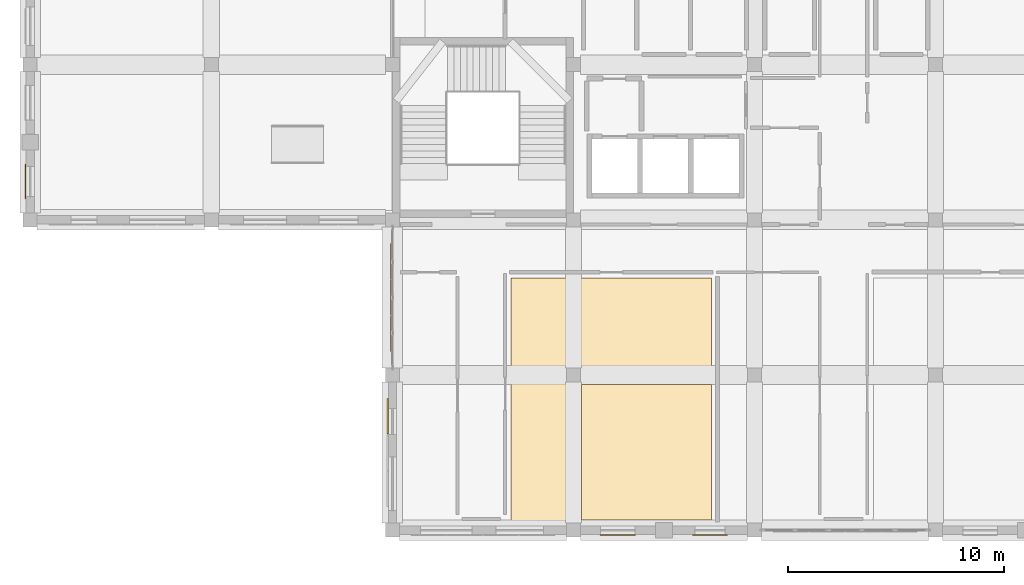
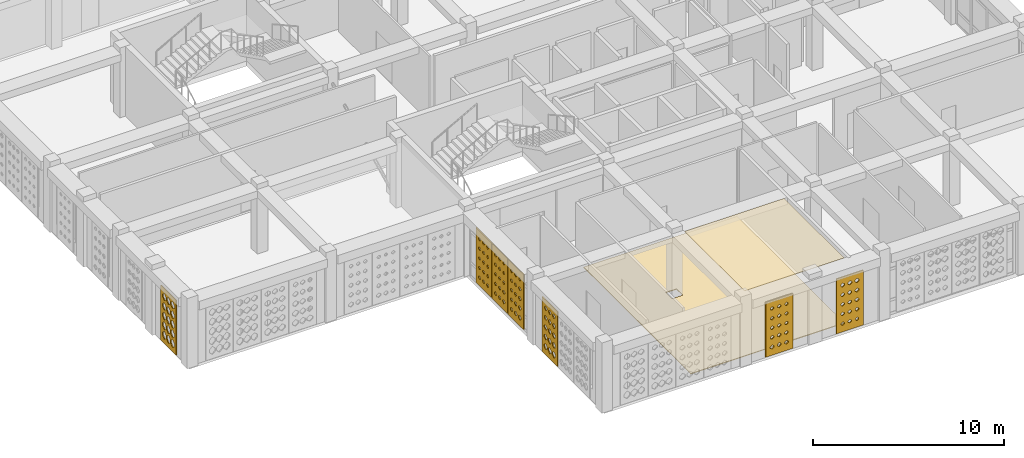
# One storey, part 54 of 79: 9 coverings.
"""IFC4 building model written with IfcOpenShell, lengths in metres."""

from ifc_helpers import new_model, si_unit, derived_unit, direction, frame, origin, place, context, subcontext, project, spatial, polyline, outline, extrude, material, layer, layer_set, type_object, element, save


model = new_model("IFC4")

# Units and contexts
model_context = context("Model", 3, precision=1e-05, world=origin(), true_north=direction((0.0, 1.0)))
body_context = subcontext(model_context, "Body", "Model", "MODEL_VIEW")
ifc_project = project(units=[si_unit("LENGTHUNIT", "METRE"), si_unit("AREAUNIT", "SQUARE_METRE"), si_unit("VOLUMEUNIT", "CUBIC_METRE"), si_unit("PLANEANGLEUNIT", "RADIAN"), si_unit("MASSUNIT", "GRAM", prefix="KILO"), derived_unit("THERMALTRANSMITTANCEUNIT", [(si_unit("POWERUNIT", "WATT"), 1), (si_unit("LENGTHUNIT", "METRE"), -2), (si_unit("THERMODYNAMICTEMPERATUREUNIT", "KELVIN"), -1)])], contexts=[model_context])

# Site, building, storey
site_placement = place(None, origin())
site = spatial("IfcSite", under=ifc_project, at=site_placement, CompositionType="ELEMENT")
building_placement = place(site_placement, origin())
building = spatial("IfcBuilding", under=site, at=building_placement, Name="Veybourne Emporium", CompositionType="ELEMENT")
storey_placement = place(building_placement, frame((0.0, 0.0, 18.89990234375)))
storey = spatial("IfcBuildingStorey", under=building, at=storey_placement, Name="L04", CompositionType="ELEMENT", Elevation=18.89990234375)

# Coverings
ifc_material_1 = material(Name="Mineral Acoustic Ceiling", Category="gypsum")
ifc_layer_1 = layer(ifc_material_1, 0.02490234375)
ifc_layer_set_1 = layer_set([ifc_layer_1], Name="Mineral Acoustic Ceiling")
covering_type_1 = type_object("IfcCoveringType", Name="Ceiling_CLG-01", PredefinedType="CEILING", material=ifc_layer_set_1)
covering_1_placement = place(storey_placement, frame((0.0, 0.0, 4.155029296875)))
element("IfcCovering", 1, at=covering_1_placement, inside=storey, type_object=covering_type_1, Name="L04 coffered acoustic ceiling 01", PredefinedType="CEILING", context=body_context, shape_type="SweptSolid", body=[
    extrude(outline(polyline([(31.60009765625, 0.472900390625), (25.572998046875, 0.472900390625), (25.572998046875, 6.751953125), (31.60009765625, 6.751953125), (31.60009765625, 0.472900390625)])), origin(), (0.0, 0.0, 1.0), 0.025146484375),
])
ifc_material_2 = material(Name="Venetian Terrazzo Flooring", Category="masonry")
ifc_layer_2 = layer(ifc_material_2, 0.044921875)
ifc_layer_set_2 = layer_set([ifc_layer_2], Name="Venetian Terrazzo Flooring")
covering_type_2 = type_object("IfcCoveringType", Name="Flooring_FLR-01", PredefinedType="FLOORING", material=ifc_layer_set_2)
covering_2_placement = place(storey_placement, origin())
element("IfcCovering", 2, at=covering_2_placement, inside=storey, type_object=covering_type_2, Name="L04 floor finish 01", PredefinedType="FLOORING", context=body_context, shape_type="SweptSolid", body=[
    extrude(outline(polyline([(22.278564453125, 0.453369140625), (22.2861328125, 0.471435546875), (22.29150390625, 0.486083984375), (22.297119140625, 0.5048828125), (22.301025390625, 0.520263671875), (22.3046875, 0.53955078125), (22.30712890625, 0.554931640625), (22.30908203125, 0.574462890625), (22.309814453125, 0.590087890625), (22.31005859375, 0.60009765625), (22.31005859375, 11.68994140625), (31.60009765625, 11.68994140625), (31.60009765625, 0.43994140625), (22.2724609375, 0.43994140625), (22.278564453125, 0.453369140625)]), holes=[polyline([(24.8701171875, 7.530029296875), (24.8701171875, 6.8701171875), (25.530029296875, 6.8701171875), (25.530029296875, 7.530029296875), (24.8701171875, 7.530029296875)])]), origin(), (0.0, 0.0, 1.0), 0.045166015625),
])
ifc_material_3 = material(Name="Warm-White Perforated Aluminium Screen Alloy", Category="aluminium")
ifc_layer_3 = layer(ifc_material_3, 0.06005859375)
ifc_layer_set_3 = layer_set([ifc_layer_3], Name="Warm-White Perforated Aluminium Screen Alloy")
covering_type_3 = type_object("IfcCoveringType", Name="WaveScreen_SCR-01", PredefinedType="CLADDING", material=ifc_layer_set_3)
covering_3_placement = place(storey_placement, frame((31.53759765625, -0.248046875, 1.815185546875), z_axis=(0.0, 1.0, 0.0), x_axis=(-1.0, 0.0, 0.0)))
element("IfcCovering", 3, at=covering_3_placement, inside=storey, type_object=covering_type_3, Name="L04 wave-perforated aluminium screen SCR-01 (19A.1)", PredefinedType="CLADDING", context=body_context, shape_type="SweptSolid", body=[
    extrude(outline(polyline([(-0.81982421875, -1.7548828125), (0.81982421875, -1.7548828125), (0.81982421875, 1.7548828125), (-0.81982421875, 1.7548828125), (-0.81982421875, -1.7548828125)]), holes=[polyline([(-0.433349609375, -1.11669921875), (-0.332275390625, -1.18798828125), (-0.332275390625, -1.26806640625), (-0.433349609375, -1.33935546875), (-0.534423828125, -1.26806640625), (-0.534423828125, -1.18798828125), (-0.433349609375, -1.11669921875)]), polyline([(-0.433349609375, -0.4990234375), (-0.329345703125, -0.572509765625), (-0.329345703125, -0.655517578125), (-0.433349609375, -0.72900390625), (-0.537353515625, -0.655517578125), (-0.537353515625, -0.572509765625), (-0.433349609375, -0.4990234375)]), polyline([(-0.433349609375, 0.120849609375), (-0.324462890625, 0.04345703125), (-0.324462890625, -0.04345703125), (-0.433349609375, -0.120849609375), (-0.542236328125, -0.04345703125), (-0.542236328125, 0.04345703125), (-0.433349609375, 0.120849609375)]), polyline([(-0.433349609375, 0.742919921875), (-0.31787109375, 0.660400390625), (-0.31787109375, 0.567626953125), (-0.433349609375, 0.485107421875), (-0.548828125, 0.567626953125), (-0.548828125, 0.660400390625), (-0.433349609375, 0.742919921875)]), polyline([(-0.433349609375, 1.366943359375), (-0.309814453125, 1.278076171875), (-0.309814453125, 1.177978515625), (-0.433349609375, 1.089111328125), (-0.556884765625, 1.177978515625), (-0.556884765625, 1.278076171875), (-0.433349609375, 1.366943359375)]), polyline([(0.0, -1.11767578125), (0.100341796875, -1.188232421875), (0.100341796875, -1.267578125), (0.0, -1.33837890625), (-0.100341796875, -1.267578125), (-0.100341796875, -1.188232421875), (0.0, -1.11767578125)]), polyline([(0.0, -0.5009765625), (0.102294921875, -0.5732421875), (0.102294921875, -0.65478515625), (0.0, -0.72705078125), (-0.102294921875, -0.65478515625), (-0.102294921875, -0.5732421875), (0.0, -0.5009765625)]), polyline([(0.0, 0.117919921875), (0.1064453125, 0.04248046875), (0.1064453125, -0.04248046875), (0.0, -0.117919921875), (-0.1064453125, -0.04248046875), (-0.1064453125, 0.04248046875), (0.0, 0.117919921875)]), polyline([(0.0, 0.739013671875), (0.1123046875, 0.658935546875), (0.1123046875, 0.569091796875), (0.0, 0.489013671875), (-0.1123046875, 0.569091796875), (-0.1123046875, 0.658935546875), (0.0, 0.739013671875)]), polyline([(0.0, 1.3623046875), (0.119873046875, 1.2763671875), (0.119873046875, 1.1796875), (0.0, 1.09375), (-0.119873046875, 1.1796875), (-0.119873046875, 1.2763671875), (0.0, 1.3623046875)]), polyline([(0.433349609375, -1.117919921875), (0.533203125, -1.1884765625), (0.533203125, -1.267578125), (0.433349609375, -1.337890625), (0.333251953125, -1.267578125), (0.333251953125, -1.1884765625), (0.433349609375, -1.117919921875)]), polyline([(0.433349609375, -0.50244140625), (0.53466796875, -0.573974609375), (0.53466796875, -0.654052734375), (0.433349609375, -0.7255859375), (0.33203125, -0.654052734375), (0.33203125, -0.573974609375), (0.433349609375, -0.50244140625)]), polyline([(0.433349609375, 0.115478515625), (0.537841796875, 0.04150390625), (0.537841796875, -0.04150390625), (0.433349609375, -0.115478515625), (0.328857421875, -0.04150390625), (0.328857421875, 0.04150390625), (0.433349609375, 0.115478515625)]), polyline([(0.433349609375, 0.735595703125), (0.542724609375, 0.65771484375), (0.542724609375, 0.5703125), (0.433349609375, 0.492431640625), (0.323974609375, 0.5703125), (0.323974609375, 0.65771484375), (0.433349609375, 0.735595703125)]), polyline([(0.433349609375, 1.35791015625), (0.549560546875, 1.274658203125), (0.549560546875, 1.181396484375), (0.433349609375, 1.09814453125), (0.317138671875, 1.181396484375), (0.317138671875, 1.274658203125), (0.433349609375, 1.35791015625)])]), origin(), (0.0, 0.0, 1.0), 0.06005859375),
])
covering_4_placement = place(storey_placement, frame((27.262451171875, -0.248046875, 1.815185546875), z_axis=(0.0, 1.0, 0.0), x_axis=(-1.0, 0.0, 0.0)))
element("IfcCovering", 4, at=covering_4_placement, inside=storey, type_object=covering_type_3, Name="L04 wave-perforated aluminium screen SCR-01 (19B.1)", PredefinedType="CLADDING", context=body_context, shape_type="SweptSolid", body=[
    extrude(outline(polyline([(-0.81982421875, -1.7548828125), (0.81982421875, -1.7548828125), (0.81982421875, 1.7548828125), (-0.81982421875, 1.7548828125), (-0.81982421875, -1.7548828125)]), holes=[polyline([(-0.433349609375, -1.10400390625), (-0.32177734375, -1.183349609375), (-0.32177734375, -1.272705078125), (-0.433349609375, -1.35205078125), (-0.544921875, -1.272705078125), (-0.544921875, -1.183349609375), (-0.433349609375, -1.10400390625)]), polyline([(-0.433349609375, -0.496826171875), (-0.327392578125, -0.57177734375), (-0.327392578125, -0.65625), (-0.433349609375, -0.731201171875), (-0.539306640625, -0.65625), (-0.539306640625, -0.57177734375), (-0.433349609375, -0.496826171875)]), polyline([(-0.433349609375, 0.112548828125), (-0.331298828125, 0.04052734375), (-0.331298828125, -0.04052734375), (-0.433349609375, -0.112548828125), (-0.535400390625, -0.04052734375), (-0.535400390625, 0.04052734375), (-0.433349609375, 0.112548828125)]), polyline([(-0.433349609375, 0.72412109375), (-0.3330078125, 0.65380859375), (-0.3330078125, 0.57421875), (-0.433349609375, 0.50390625), (-0.533447265625, 0.57421875), (-0.533447265625, 0.65380859375), (-0.433349609375, 0.72412109375)]), polyline([(-0.433349609375, 1.33837890625), (-0.3330078125, 1.267578125), (-0.3330078125, 1.188232421875), (-0.433349609375, 1.11767578125), (-0.53369140625, 1.188232421875), (-0.53369140625, 1.267578125), (-0.433349609375, 1.33837890625)]), polyline([(0.0, -1.10009765625), (0.114501953125, -1.181884765625), (0.114501953125, -1.27392578125), (0.0, -1.35595703125), (-0.114501953125, -1.27392578125), (-0.114501953125, -1.181884765625), (0.0, -1.10009765625)]), polyline([(0.0, -0.493896484375), (0.108154296875, -0.57080078125), (0.108154296875, -0.6572265625), (0.0, -0.734130859375), (-0.108154296875, -0.6572265625), (-0.108154296875, -0.57080078125), (0.0, -0.493896484375)]), polyline([(0.0, 0.114501953125), (0.103515625, 0.041259765625), (0.103515625, -0.041259765625), (0.0, -0.114501953125), (-0.103515625, -0.041259765625), (-0.103515625, 0.041259765625), (0.0, 0.114501953125)]), polyline([(0.0, 0.72509765625), (0.100830078125, 0.654052734375), (0.100830078125, 0.573974609375), (0.0, 0.5029296875), (-0.100830078125, 0.573974609375), (-0.100830078125, 0.654052734375), (0.0, 0.72509765625)]), polyline([(0.0, 1.337890625), (0.10009765625, 1.267578125), (0.10009765625, 1.1884765625), (0.0, 1.117919921875), (-0.10009765625, 1.1884765625), (-0.10009765625, 1.267578125), (0.0, 1.337890625)]), polyline([(0.433349609375, -1.095947265625), (0.551513671875, -1.180419921875), (0.551513671875, -1.275634765625), (0.433349609375, -1.360107421875), (0.315185546875, -1.275634765625), (0.315185546875, -1.180419921875), (0.433349609375, -1.095947265625)]), polyline([(0.433349609375, -0.490478515625), (0.544189453125, -0.569580078125), (0.544189453125, -0.658447265625), (0.433349609375, -0.7373046875), (0.322509765625, -0.658447265625), (0.322509765625, -0.569580078125), (0.433349609375, -0.490478515625)]), polyline([(0.433349609375, 0.11669921875), (0.538818359375, 0.0419921875), (0.538818359375, -0.0419921875), (0.433349609375, -0.11669921875), (0.327880859375, -0.0419921875), (0.327880859375, 0.0419921875), (0.433349609375, 0.11669921875)]), polyline([(0.433349609375, 0.726318359375), (0.53515625, 0.654296875), (0.53515625, 0.573486328125), (0.433349609375, 0.501708984375), (0.33154296875, 0.573486328125), (0.33154296875, 0.654296875), (0.433349609375, 0.726318359375)]), polyline([(0.433349609375, 1.338134765625), (0.533447265625, 1.267578125), (0.533447265625, 1.188232421875), (0.433349609375, 1.117919921875), (0.333251953125, 1.188232421875), (0.333251953125, 1.267578125), (0.433349609375, 1.338134765625)])]), origin(), (0.0, 0.0, 1.0), 0.06005859375),
])
ifc_layer_4 = layer(ifc_material_3, 0.06005859375)
ifc_layer_set_4 = layer_set([ifc_layer_4], Name="Warm-White Perforated Aluminium Screen Alloy")
covering_type_4 = type_object("IfcCoveringType", Name="WaveScreen_SCR-02", PredefinedType="CLADDING", material=ifc_layer_set_4)
covering_5_placement = place(storey_placement, frame((16.70458984375, 9.1201171875, 1.815185546875), z_axis=(1.0, 0.0, 0.0), x_axis=(0.0, 1.0, 0.0)))
element("IfcCovering", 5, at=covering_5_placement, inside=storey, type_object=covering_type_4, Name="L04 wave-perforated aluminium screen SCR-02 (12C.1)", PredefinedType="CLADDING", context=body_context, shape_type="SweptSolid", body=[
    extrude(outline(polyline([(-0.81982421875, -1.7548828125), (0.81982421875, -1.7548828125), (0.81982421875, 1.7548828125), (-0.81982421875, 1.7548828125), (-0.81982421875, -1.7548828125)]), holes=[polyline([(-0.433349609375, -1.08251953125), (-0.304443359375, -1.17578125), (-0.304443359375, -1.2802734375), (-0.433349609375, -1.373291015625), (-0.562255859375, -1.2802734375), (-0.562255859375, -1.17578125), (-0.433349609375, -1.08251953125)]), polyline([(-0.433349609375, -0.4794921875), (-0.313232421875, -0.565673828125), (-0.313232421875, -0.662353515625), (-0.433349609375, -0.74853515625), (-0.553466796875, -0.662353515625), (-0.553466796875, -0.565673828125), (-0.433349609375, -0.4794921875)]), polyline([(-0.433349609375, 0.125244140625), (-0.32080078125, 0.045166015625), (-0.32080078125, -0.045166015625), (-0.433349609375, -0.125244140625), (-0.5458984375, -0.045166015625), (-0.5458984375, 0.045166015625), (-0.433349609375, 0.125244140625)]), polyline([(-0.433349609375, 0.732177734375), (-0.32666015625, 0.656494140625), (-0.32666015625, 0.571533203125), (-0.433349609375, 0.495849609375), (-0.5400390625, 0.571533203125), (-0.5400390625, 0.656494140625), (-0.433349609375, 0.732177734375)]), polyline([(-0.433349609375, 1.341064453125), (-0.330810546875, 1.268798828125), (-0.330810546875, 1.187255859375), (-0.433349609375, 1.114990234375), (-0.535888671875, 1.187255859375), (-0.535888671875, 1.268798828125), (-0.433349609375, 1.341064453125)]), polyline([(0.0, -1.087646484375), (0.124755859375, -1.177490234375), (0.124755859375, -1.278564453125), (0.0, -1.368408203125), (-0.124755859375, -1.278564453125), (-0.124755859375, -1.177490234375), (0.0, -1.087646484375)]), polyline([(0.0, -0.48388671875), (0.116455078125, -0.567138671875), (0.116455078125, -0.660888671875), (0.0, -0.744140625), (-0.116455078125, -0.660888671875), (-0.116455078125, -0.567138671875), (0.0, -0.48388671875)]), polyline([(0.0, 0.121826171875), (0.109619140625, 0.043701171875), (0.109619140625, -0.043701171875), (0.0, -0.121826171875), (-0.109619140625, -0.043701171875), (-0.109619140625, 0.043701171875), (0.0, 0.121826171875)]), polyline([(0.0, 0.7294921875), (0.1044921875, 0.655517578125), (0.1044921875, 0.572509765625), (0.0, 0.498291015625), (-0.1044921875, 0.572509765625), (-0.1044921875, 0.655517578125), (0.0, 0.7294921875)]), polyline([(0.0, 1.339599609375), (0.101318359375, 1.268310546875), (0.101318359375, 1.187744140625), (0.0, 1.116455078125), (-0.101318359375, 1.187744140625), (-0.101318359375, 1.268310546875), (0.0, 1.339599609375)]), polyline([(0.433349609375, -1.092529296875), (0.55419921875, -1.17919921875), (0.55419921875, -1.27685546875), (0.433349609375, -1.363525390625), (0.3125, -1.27685546875), (0.3125, -1.17919921875), (0.433349609375, -1.092529296875)]), polyline([(0.433349609375, -0.48779296875), (0.54638671875, -0.568603515625), (0.54638671875, -0.659423828125), (0.433349609375, -0.739990234375), (0.3203125, -0.659423828125), (0.3203125, -0.568603515625), (0.433349609375, -0.48779296875)]), polyline([(0.433349609375, 0.11865234375), (0.54052734375, 0.042724609375), (0.54052734375, -0.042724609375), (0.433349609375, -0.11865234375), (0.326171875, -0.042724609375), (0.326171875, 0.042724609375), (0.433349609375, 0.11865234375)]), polyline([(0.433349609375, 0.7275390625), (0.5361328125, 0.65478515625), (0.5361328125, 0.572998046875), (0.433349609375, 0.50048828125), (0.33056640625, 0.572998046875), (0.33056640625, 0.65478515625), (0.433349609375, 0.7275390625)]), polyline([(0.433349609375, 1.338623046875), (0.53369140625, 1.267822265625), (0.53369140625, 1.188232421875), (0.433349609375, 1.117431640625), (0.3330078125, 1.188232421875), (0.3330078125, 1.267822265625), (0.433349609375, 1.338623046875)])]), origin(), (0.0, 0.0, 1.0), 0.06005859375),
])
ifc_layer_5 = layer(ifc_material_3, 0.06005859375)
ifc_layer_set_5 = layer_set([ifc_layer_5], Name="Warm-White Perforated Aluminium Screen Alloy")
covering_type_5 = type_object("IfcCoveringType", Name="WaveScreen_SCR-03", PredefinedType="CLADDING", material=ifc_layer_set_5)
covering_6_placement = place(storey_placement, frame((16.552001953125, 5.280029296875, 1.815185546875), z_axis=(1.0, 0.0, 0.0), x_axis=(0.0, 1.0, 0.0)))
element("IfcCovering", 6, at=covering_6_placement, inside=storey, type_object=covering_type_5, Name="L04 wave-perforated aluminium screen SCR-03 (11.3)", PredefinedType="CLADDING", context=body_context, shape_type="SweptSolid", body=[
    extrude(outline(polyline([(-0.81982421875, -1.7548828125), (0.81982421875, -1.7548828125), (0.81982421875, 1.7548828125), (-0.81982421875, 1.7548828125), (-0.81982421875, -1.7548828125)]), holes=[polyline([(-0.433349609375, -1.0263671875), (-0.25830078125, -1.155517578125), (-0.25830078125, -1.300537109375), (-0.433349609375, -1.4296875), (-0.6083984375, -1.300537109375), (-0.6083984375, -1.155517578125), (-0.433349609375, -1.0263671875)]), polyline([(-0.433349609375, -0.426513671875), (-0.27001953125, -0.54638671875), (-0.27001953125, -0.681396484375), (-0.433349609375, -0.801513671875), (-0.5966796875, -0.681396484375), (-0.5966796875, -0.54638671875), (-0.433349609375, -0.426513671875)]), polyline([(-0.433349609375, 0.173583984375), (-0.281494140625, 0.0625), (-0.281494140625, -0.0625), (-0.433349609375, -0.173583984375), (-0.585205078125, -0.0625), (-0.585205078125, 0.0625), (-0.433349609375, 0.173583984375)]), polyline([(-0.433349609375, 0.77392578125), (-0.29248046875, 0.671630859375), (-0.29248046875, 0.556396484375), (-0.433349609375, 0.4541015625), (-0.57421875, 0.556396484375), (-0.57421875, 0.671630859375), (-0.433349609375, 0.77392578125)]), polyline([(-0.433349609375, 1.37548828125), (-0.302490234375, 1.281005859375), (-0.302490234375, 1.1748046875), (-0.433349609375, 1.08056640625), (-0.56396484375, 1.1748046875), (-0.56396484375, 1.281005859375), (-0.433349609375, 1.37548828125)]), polyline([(0.0, -1.03271484375), (0.169677734375, -1.15771484375), (0.169677734375, -1.29833984375), (0.0, -1.423095703125), (-0.169677734375, -1.29833984375), (-0.169677734375, -1.15771484375), (0.0, -1.03271484375)]), polyline([(0.0, -0.432861328125), (0.158203125, -0.548828125), (0.158203125, -0.67919921875), (0.0, -0.795166015625), (-0.158203125, -0.67919921875), (-0.158203125, -0.548828125), (0.0, -0.432861328125)]), polyline([(0.0, 0.167236328125), (0.14697265625, 0.060302734375), (0.14697265625, -0.060302734375), (0.0, -0.167236328125), (-0.14697265625, -0.060302734375), (-0.14697265625, 0.060302734375), (0.0, 0.167236328125)]), polyline([(0.0, 0.768310546875), (0.13623046875, 0.66943359375), (0.13623046875, 0.55859375), (0.0, 0.459716796875), (-0.13623046875, 0.55859375), (-0.13623046875, 0.66943359375), (0.0, 0.768310546875)]), polyline([(0.0, 1.370361328125), (0.12646484375, 1.279296875), (0.12646484375, 1.1767578125), (0.0, 1.085693359375), (-0.12646484375, 1.1767578125), (-0.12646484375, 1.279296875), (0.0, 1.370361328125)]), polyline([(0.433349609375, -1.039306640625), (0.597900390625, -1.159912109375), (0.597900390625, -1.2958984375), (0.433349609375, -1.416748046875), (0.268798828125, -1.2958984375), (0.268798828125, -1.159912109375), (0.433349609375, -1.039306640625)]), polyline([(0.433349609375, -0.439208984375), (0.586181640625, -0.551025390625), (0.586181640625, -0.677001953125), (0.433349609375, -0.788818359375), (0.2802734375, -0.677001953125), (0.2802734375, -0.551025390625), (0.433349609375, -0.439208984375)]), polyline([(0.433349609375, 0.1611328125), (0.5751953125, 0.05810546875), (0.5751953125, -0.05810546875), (0.433349609375, -0.1611328125), (0.29150390625, -0.05810546875), (0.29150390625, 0.05810546875), (0.433349609375, 0.1611328125)]), polyline([(0.433349609375, 0.7626953125), (0.56494140625, 0.66748046875), (0.56494140625, 0.560546875), (0.433349609375, 0.46533203125), (0.3017578125, 0.560546875), (0.3017578125, 0.66748046875), (0.433349609375, 0.7626953125)]), polyline([(0.433349609375, 1.365234375), (0.5556640625, 1.27734375), (0.5556640625, 1.1787109375), (0.433349609375, 1.0908203125), (0.31103515625, 1.1787109375), (0.31103515625, 1.27734375), (0.433349609375, 1.365234375)])]), origin(), (0.0, 0.0, 1.0), 0.06005859375),
])
covering_7_placement = place(storey_placement, frame((16.70458984375, 10.800048828125, 1.815185546875), z_axis=(1.0, 0.0, 0.0), x_axis=(0.0, 1.0, 0.0)))
element("IfcCovering", 7, at=covering_7_placement, inside=storey, type_object=covering_type_5, Name="L04 wave-perforated aluminium screen SCR-03 (12C.2)", PredefinedType="CLADDING", context=body_context, shape_type="SweptSolid", body=[
    extrude(outline(polyline([(-0.81982421875, -1.7548828125), (0.81982421875, -1.7548828125), (0.81982421875, 1.7548828125), (-0.81982421875, 1.7548828125), (-0.81982421875, -1.7548828125)]), holes=[polyline([(-0.433349609375, -1.1005859375), (-0.319091796875, -1.18212890625), (-0.319091796875, -1.27392578125), (-0.433349609375, -1.35546875), (-0.547607421875, -1.27392578125), (-0.547607421875, -1.18212890625), (-0.433349609375, -1.1005859375)]), polyline([(-0.433349609375, -0.494384765625), (-0.325439453125, -0.57080078125), (-0.325439453125, -0.656982421875), (-0.433349609375, -0.733642578125), (-0.541259765625, -0.656982421875), (-0.541259765625, -0.57080078125), (-0.433349609375, -0.494384765625)]), polyline([(-0.433349609375, 0.114013671875), (-0.330078125, 0.041015625), (-0.330078125, -0.041015625), (-0.433349609375, -0.114013671875), (-0.53662109375, -0.041015625), (-0.53662109375, 0.041015625), (-0.433349609375, 0.114013671875)]), polyline([(-0.433349609375, 0.724853515625), (-0.33251953125, 0.65380859375), (-0.33251953125, 0.57421875), (-0.433349609375, 0.503173828125), (-0.533935546875, 0.57421875), (-0.533935546875, 0.65380859375), (-0.433349609375, 0.724853515625)]), polyline([(-0.433349609375, 1.337890625), (-0.333251953125, 1.267578125), (-0.333251953125, 1.1884765625), (-0.433349609375, 1.117919921875), (-0.533447265625, 1.1884765625), (-0.533447265625, 1.267578125), (-0.433349609375, 1.337890625)]), polyline([(0.0, -1.1044921875), (0.111083984375, -1.18359375), (0.111083984375, -1.2724609375), (0.0, -1.3515625), (-0.111083984375, -1.2724609375), (-0.111083984375, -1.18359375), (0.0, -1.1044921875)]), polyline([(0.0, -0.4970703125), (0.105712890625, -0.572021484375), (0.105712890625, -0.656005859375), (0.0, -0.73095703125), (-0.105712890625, -0.656005859375), (-0.105712890625, -0.572021484375), (0.0, -0.4970703125)]), polyline([(0.0, 0.1123046875), (0.101806640625, 0.040283203125), (0.101806640625, -0.040283203125), (0.0, -0.1123046875), (-0.101806640625, -0.040283203125), (-0.101806640625, 0.040283203125), (0.0, 0.1123046875)]), polyline([(0.0, 0.72412109375), (0.10009765625, 0.65380859375), (0.10009765625, 0.57421875), (0.0, 0.50390625), (-0.10009765625, 0.57421875), (-0.10009765625, 0.65380859375), (0.0, 0.72412109375)]), polyline([(0.0, 1.33837890625), (0.100341796875, 1.267822265625), (0.100341796875, 1.188232421875), (0.0, 1.117431640625), (-0.100341796875, 1.188232421875), (-0.100341796875, 1.267822265625), (0.0, 1.33837890625)]), polyline([(0.433349609375, -1.107666015625), (0.541748046875, -1.184814453125), (0.541748046875, -1.271240234375), (0.433349609375, -1.348388671875), (0.324951171875, -1.271240234375), (0.324951171875, -1.184814453125), (0.433349609375, -1.107666015625)]), polyline([(0.433349609375, -0.49951171875), (0.537109375, -0.57275390625), (0.537109375, -0.6552734375), (0.433349609375, -0.728515625), (0.32958984375, -0.6552734375), (0.32958984375, -0.57275390625), (0.433349609375, -0.49951171875)]), polyline([(0.433349609375, 0.111083984375), (0.5341796875, 0.0400390625), (0.5341796875, -0.0400390625), (0.433349609375, -0.111083984375), (0.33251953125, -0.0400390625), (0.33251953125, 0.0400390625), (0.433349609375, 0.111083984375)]), polyline([(0.433349609375, 0.72412109375), (0.533203125, 0.653564453125), (0.533203125, 0.574462890625), (0.433349609375, 0.50390625), (0.333251953125, 0.574462890625), (0.333251953125, 0.653564453125), (0.433349609375, 0.72412109375)]), polyline([(0.433349609375, 1.33935546875), (0.534423828125, 1.26806640625), (0.534423828125, 1.18798828125), (0.433349609375, 1.11669921875), (0.332275390625, 1.18798828125), (0.332275390625, 1.26806640625), (0.433349609375, 1.33935546875)])]), origin(), (0.0, 0.0, 1.0), 0.06005859375),
])
ifc_layer_6 = layer(ifc_material_3, 0.06005859375)
ifc_layer_set_6 = layer_set([ifc_layer_6], Name="Warm-White Perforated Aluminium Screen Alloy")
covering_type_6 = type_object("IfcCoveringType", Name="WaveScreen_SCR-04", PredefinedType="CLADDING", material=ifc_layer_set_6)
covering_8_placement = place(storey_placement, frame((-0.248046875, 16.177490234375, 1.815185546875), z_axis=(1.0, 0.0, 0.0), x_axis=(0.0, 1.0, 0.0)))
element("IfcCovering", 8, at=covering_8_placement, inside=storey, type_object=covering_type_6, Name="L04 wave-perforated aluminium screen SCR-04 (2A.1)", PredefinedType="CLADDING", context=body_context, shape_type="SweptSolid", body=[
    extrude(outline(polyline([(-0.81982421875, -1.7548828125), (0.81982421875, -1.7548828125), (0.81982421875, 1.7548828125), (-0.81982421875, 1.7548828125), (-0.81982421875, -1.7548828125)]), holes=[polyline([(-0.433349609375, -0.964111328125), (-0.2470703125, -1.133056640625), (-0.2470703125, -1.322998046875), (-0.433349609375, -1.491943359375), (-0.61962890625, -1.322998046875), (-0.61962890625, -1.133056640625), (-0.433349609375, -0.964111328125)]), polyline([(-0.433349609375, -0.35205078125), (-0.2470703125, -0.519775390625), (-0.2470703125, -0.708251953125), (-0.433349609375, -0.8759765625), (-0.61962890625, -0.708251953125), (-0.61962890625, -0.519775390625), (-0.433349609375, -0.35205078125)]), polyline([(-0.433349609375, 0.25341796875), (-0.2470703125, 0.09130859375), (-0.2470703125, -0.09130859375), (-0.433349609375, -0.25341796875), (-0.61962890625, -0.09130859375), (-0.61962890625, 0.09130859375), (-0.433349609375, 0.25341796875)]), polyline([(-0.433349609375, 0.85693359375), (-0.2470703125, 0.701416015625), (-0.2470703125, 0.526611328125), (-0.433349609375, 0.37109375), (-0.61962890625, 0.526611328125), (-0.61962890625, 0.701416015625), (-0.433349609375, 0.85693359375)]), polyline([(-0.433349609375, 1.458984375), (-0.2470703125, 1.311279296875), (-0.2470703125, 1.144775390625), (-0.433349609375, 0.9970703125), (-0.61962890625, 1.144775390625), (-0.61962890625, 1.311279296875), (-0.433349609375, 1.458984375)]), polyline([(0.0, -0.964111328125), (0.186279296875, -1.133056640625), (0.186279296875, -1.322998046875), (0.0, -1.491943359375), (-0.186279296875, -1.322998046875), (-0.186279296875, -1.133056640625), (0.0, -0.964111328125)]), polyline([(0.0, -0.355712890625), (0.186279296875, -0.52099609375), (0.186279296875, -0.70703125), (0.0, -0.872314453125), (-0.186279296875, -0.70703125), (-0.186279296875, -0.52099609375), (0.0, -0.355712890625)]), polyline([(0.0, 0.248779296875), (0.186279296875, 0.089599609375), (0.186279296875, -0.089599609375), (0.0, -0.248779296875), (-0.186279296875, -0.089599609375), (-0.186279296875, 0.089599609375), (0.0, 0.248779296875)]), polyline([(0.0, 0.851806640625), (0.186279296875, 0.69970703125), (0.186279296875, 0.5283203125), (0.0, 0.376220703125), (-0.186279296875, 0.5283203125), (-0.186279296875, 0.69970703125), (0.0, 0.851806640625)]), polyline([(0.0, 1.453125), (0.186279296875, 1.30908203125), (0.186279296875, 1.14697265625), (0.0, 1.002685546875), (-0.186279296875, 1.14697265625), (-0.186279296875, 1.30908203125), (0.0, 1.453125)]), polyline([(0.433349609375, -0.96533203125), (0.61962890625, -1.13330078125), (0.61962890625, -1.322509765625), (0.433349609375, -1.49072265625), (0.2470703125, -1.322509765625), (0.2470703125, -1.13330078125), (0.433349609375, -0.96533203125)]), polyline([(0.433349609375, -0.359619140625), (0.61962890625, -0.5224609375), (0.61962890625, -0.70556640625), (0.433349609375, -0.868408203125), (0.2470703125, -0.70556640625), (0.2470703125, -0.5224609375), (0.433349609375, -0.359619140625)]), polyline([(0.433349609375, 0.243896484375), (0.61962890625, 0.087890625), (0.61962890625, -0.087890625), (0.433349609375, -0.243896484375), (0.2470703125, -0.087890625), (0.2470703125, 0.087890625), (0.433349609375, 0.243896484375)]), polyline([(0.433349609375, 0.84619140625), (0.61962890625, 0.697509765625), (0.61962890625, 0.530517578125), (0.433349609375, 0.3818359375), (0.2470703125, 0.530517578125), (0.2470703125, 0.697509765625), (0.433349609375, 0.84619140625)]), polyline([(0.433349609375, 1.447265625), (0.61962890625, 1.306884765625), (0.61962890625, 1.149169921875), (0.433349609375, 1.0087890625), (0.2470703125, 1.149169921875), (0.2470703125, 1.306884765625), (0.433349609375, 1.447265625)])]), origin(), (0.0, 0.0, 1.0), 0.06005859375),
])
covering_9_placement = place(storey_placement, frame((16.70458984375, 12.47998046875, 1.815185546875), z_axis=(1.0, 0.0, 0.0), x_axis=(0.0, 1.0, 0.0)))
element("IfcCovering", 9, at=covering_9_placement, inside=storey, type_object=covering_type_6, Name="L04 wave-perforated aluminium screen SCR-04 (12C.3)", PredefinedType="CLADDING", context=body_context, shape_type="SweptSolid", body=[
    extrude(outline(polyline([(-0.81982421875, -1.7548828125), (0.81982421875, -1.7548828125), (0.81982421875, 1.7548828125), (-0.81982421875, 1.7548828125), (-0.81982421875, -1.7548828125)]), holes=[polyline([(-0.433349609375, -1.11279296875), (-0.3291015625, -1.1865234375), (-0.3291015625, -1.26953125), (-0.433349609375, -1.34326171875), (-0.53759765625, -1.26953125), (-0.53759765625, -1.1865234375), (-0.433349609375, -1.11279296875)]), polyline([(-0.433349609375, -0.502685546875), (-0.332275390625, -0.573974609375), (-0.332275390625, -0.654052734375), (-0.433349609375, -0.725341796875), (-0.534423828125, -0.654052734375), (-0.534423828125, -0.573974609375), (-0.433349609375, -0.502685546875)]), polyline([(-0.433349609375, 0.110107421875), (-0.333251953125, 0.03955078125), (-0.333251953125, -0.03955078125), (-0.433349609375, -0.110107421875), (-0.533203125, -0.03955078125), (-0.533203125, 0.03955078125), (-0.433349609375, 0.110107421875)]), polyline([(-0.433349609375, 0.72509765625), (-0.33251953125, 0.654052734375), (-0.33251953125, 0.573974609375), (-0.433349609375, 0.5029296875), (-0.5341796875, 0.573974609375), (-0.5341796875, 0.654052734375), (-0.433349609375, 0.72509765625)]), polyline([(-0.433349609375, 1.34228515625), (-0.32958984375, 1.269287109375), (-0.32958984375, 1.186767578125), (-0.433349609375, 1.113525390625), (-0.537109375, 1.186767578125), (-0.537109375, 1.269287109375), (-0.433349609375, 1.34228515625)]), polyline([(0.0, -1.11474609375), (0.1025390625, -1.187255859375), (0.1025390625, -1.268798828125), (0.0, -1.34130859375), (-0.1025390625, -1.268798828125), (-0.1025390625, -1.187255859375), (0.0, -1.11474609375)]), polyline([(0.0, -0.50341796875), (0.100341796875, -0.57421875), (0.100341796875, -0.65380859375), (0.0, -0.724609375), (-0.100341796875, -0.65380859375), (-0.100341796875, -0.57421875), (0.0, -0.50341796875)]), polyline([(0.0, 0.110107421875), (0.10009765625, 0.039794921875), (0.10009765625, -0.039794921875), (0.0, -0.110107421875), (-0.10009765625, -0.039794921875), (-0.10009765625, 0.039794921875), (0.0, 0.110107421875)]), polyline([(0.0, 0.726318359375), (0.101806640625, 0.654296875), (0.101806640625, 0.573486328125), (0.0, 0.501708984375), (-0.101806640625, 0.573486328125), (-0.101806640625, 0.654296875), (0.0, 0.726318359375)]), polyline([(0.0, 1.3447265625), (0.10546875, 1.27001953125), (0.10546875, 1.18603515625), (0.0, 1.111328125), (-0.10546875, 1.18603515625), (-0.10546875, 1.27001953125), (0.0, 1.3447265625)]), polyline([(0.433349609375, -1.1162109375), (0.53466796875, -1.187744140625), (0.53466796875, -1.268310546875), (0.433349609375, -1.339599609375), (0.33203125, -1.268310546875), (0.33203125, -1.187744140625), (0.433349609375, -1.1162109375)]), polyline([(0.433349609375, -0.50390625), (0.533447265625, -0.574462890625), (0.533447265625, -0.653564453125), (0.433349609375, -0.72412109375), (0.333251953125, -0.653564453125), (0.333251953125, -0.574462890625), (0.433349609375, -0.50390625)]), polyline([(0.433349609375, 0.11083984375), (0.533935546875, 0.039794921875), (0.533935546875, -0.039794921875), (0.433349609375, -0.11083984375), (0.332763671875, -0.039794921875), (0.332763671875, 0.039794921875), (0.433349609375, 0.11083984375)]), polyline([(0.433349609375, 0.72802734375), (0.53662109375, 0.655029296875), (0.53662109375, 0.572998046875), (0.433349609375, 0.5), (0.330078125, 0.572998046875), (0.330078125, 0.655029296875), (0.433349609375, 0.72802734375)]), polyline([(0.433349609375, 1.347412109375), (0.541015625, 1.27099609375), (0.541015625, 1.18505859375), (0.433349609375, 1.1083984375), (0.325439453125, 1.18505859375), (0.325439453125, 1.27099609375), (0.433349609375, 1.347412109375)])]), origin(), (0.0, 0.0, 1.0), 0.06005859375),
])

save(model, "model.ifc")
